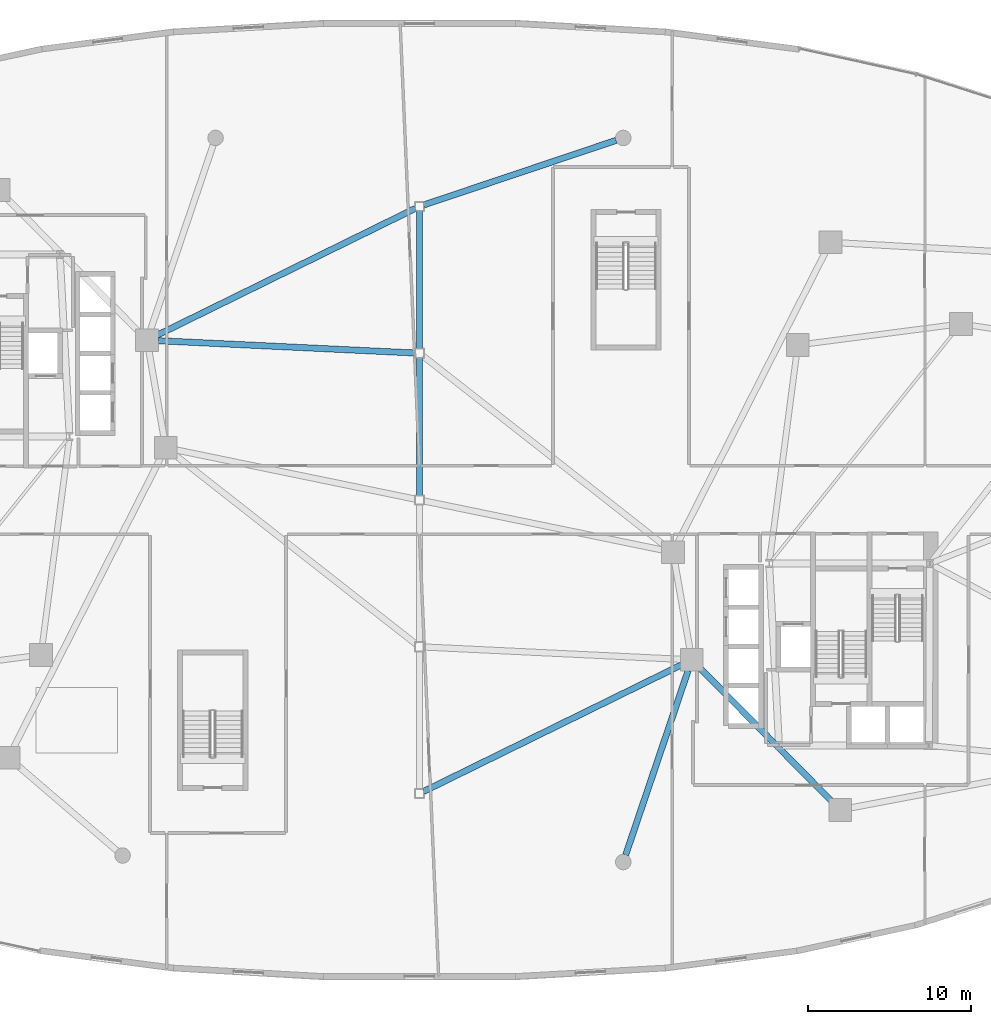
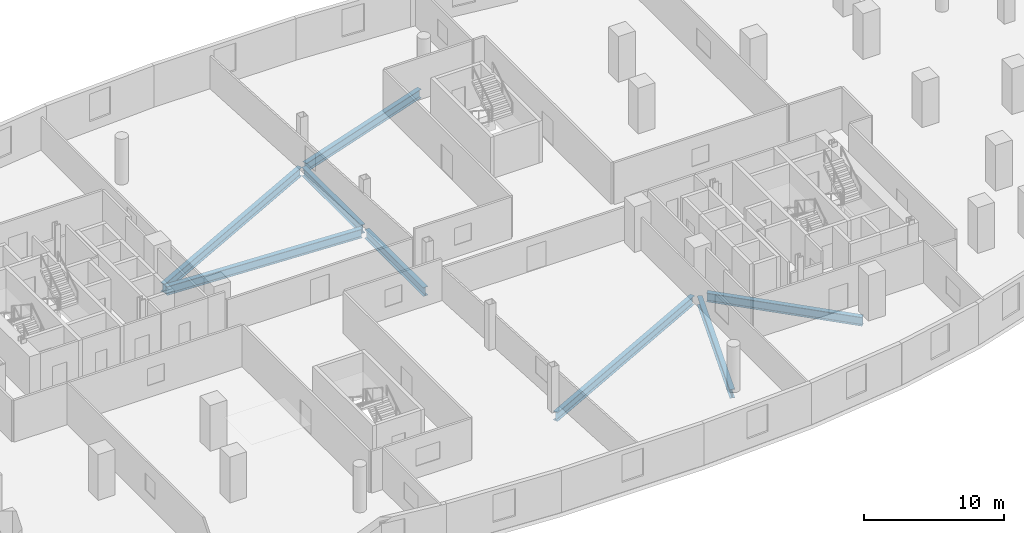
# One storey, part 6 of 19: 8 beams.
"""IFC4 building model written with IfcOpenShell, lengths in metres."""

import ifcopenshell
import ifcopenshell.guid

model = None  # the IFC model being written
_history = None  # IfcOwnerHistory: only IFC2X3 demands one
_inside = {}  # id of a spatial element -> (the spatial element, [elements in it])
_under = {}  # id of a project, library or spatial element -> (it, [spatial elements below it])
_declared = {}  # id of a project -> (the project, [libraries it declares])
_typed = {}  # id of a type object -> (the type object, [elements of that type])
_made_of = {}  # id of a material, layer set ... -> (it, [elements and type objects made of it])


def new_model(schema):
    """Start an empty IFC model of exactly this schema.

    Asked for "IFC4X3", IfcOpenShell would pick the latest addendum, in which some entities
    have other attributes; the version numbers below select the first issue.
    IFC2X3 requires an IfcOwnerHistory on every rooted entity: one is made here for all.
    """
    global model, _history
    if schema == "IFC4X3":
        model = ifcopenshell.file(schema_version=(4, 3, 0, 0))
    else:
        model = ifcopenshell.file(schema=schema)
    _inside.clear()
    _under.clear()
    _declared.clear()
    _typed.clear()
    _made_of.clear()
    _history = None
    if model.schema == "IFC2X3":
        org = make("IfcOrganization", Name="unknown")
        user = make(
            "IfcPersonAndOrganization",
            ThePerson=make("IfcPerson", FamilyName="unknown"),
            TheOrganization=org,
        )
        app = make(
            "IfcApplication",
            ApplicationDeveloper=org,
            Version="unknown",
            ApplicationFullName="unknown",
            ApplicationIdentifier="unknown",
        )
        _history = make(
            "IfcOwnerHistory",
            OwningUser=user,
            OwningApplication=app,
            ChangeAction="ADDED",
            CreationDate=0,
        )
    return model


def make(cls, **values):
    """One entity of the class cls with the attributes given. An attribute that is None is left unset."""
    return model.create_entity(
        cls, **{name: value for name, value in values.items() if value is not None}
    )


def rooted(cls, **values):
    """An entity with a GlobalId (a new one), such as an element, a storey or a relation."""
    return make(cls, GlobalId=ifcopenshell.guid.new(), OwnerHistory=_history, **values)


def si_unit(unit_type, name, prefix=None):
    """IfcSIUnit, for example si_unit("LENGTHUNIT", "METRE", prefix="MILLI")."""
    return make("IfcSIUnit", UnitType=unit_type, Prefix=prefix, Name=name)


def assignment(units):
    """IfcUnitAssignment: the units of a project."""
    return None if units is None else make("IfcUnitAssignment", Units=units)


def point(xyz):
    """IfcCartesianPoint."""
    return None if xyz is None else make("IfcCartesianPoint", Coordinates=xyz)


def direction(xyz):
    """IfcDirection."""
    return None if xyz is None else make("IfcDirection", DirectionRatios=xyz)


def frame(location, z_axis=None, x_axis=None):
    """IfcAxis2Placement3D, a coordinate frame: its origin and axes. An axis left out is left unset."""
    return make(
        "IfcAxis2Placement3D",
        Location=point(location),
        Axis=direction(z_axis),
        RefDirection=direction(x_axis),
    )


def frame_2d(location, x_axis=None):
    """IfcAxis2Placement2D, a coordinate frame in the plane: its origin and x axis."""
    return make(
        "IfcAxis2Placement2D", Location=point(location), RefDirection=direction(x_axis)
    )


def origin():
    """The frame at (0, 0, 0) with its axes left unset."""
    return frame((0.0, 0.0, 0.0))


def origin_2d():
    """The frame at (0, 0) in the plane with its x axis left unset."""
    return frame_2d((0.0, 0.0))


def place(relative_to, where):
    """IfcLocalPlacement: puts the frame where relative to a parent placement (None: the world)."""
    return make(
        "IfcLocalPlacement", PlacementRelTo=relative_to, RelativePlacement=where
    )


def context(
    kind, dimensions, precision=None, world=None, true_north=None, identifier=None
):
    """IfcGeometricRepresentationContext, for example the 3D "Model" context."""
    return make(
        "IfcGeometricRepresentationContext",
        ContextIdentifier=identifier,
        ContextType=kind,
        CoordinateSpaceDimension=dimensions,
        Precision=precision,
        WorldCoordinateSystem=world,
        TrueNorth=true_north,
    )


def subcontext(parent, identifier, kind, view, scale=None):
    """IfcGeometricRepresentationSubContext, for example "Body" below "Model"."""
    return make(
        "IfcGeometricRepresentationSubContext",
        ContextIdentifier=identifier,
        ContextType=kind,
        ParentContext=parent,
        TargetScale=scale,
        TargetView=view,
    )


def project(units=None, contexts=None):
    """IfcProject with its units and contexts."""
    return rooted(
        "IfcProject",
        Name="project",
        RepresentationContexts=contexts,
        UnitsInContext=assignment(units),
    )


def spatial(cls, under=None, at=None, **own):
    """A site, building, storey or space (cls), placed at a placement, below another one or the project."""
    s = rooted(cls, ObjectPlacement=at, **own)
    if under is not None:
        _under.setdefault(under.id(), (under, []))[1].append(s)
    return s


def profile(cls, at=None, kind="AREA", **sizes):
    """A parametric profile (cls). Its sizes go by their IFC names, for example OverallWidth=200.0."""
    return make(cls, ProfileType=kind, Position=at, **sizes)


def i_section(**sizes):
    """IfcIShapeProfileDef."""
    return profile("IfcIShapeProfileDef", **sizes)


def extrude(swept, where, along, depth):
    """IfcExtrudedAreaSolid: the profile swept, set in the frame where, extruded along a direction by depth."""
    return make(
        "IfcExtrudedAreaSolid",
        SweptArea=swept,
        Position=where,
        ExtrudedDirection=direction(along),
        Depth=depth,
    )


def shape(context_of_items, identifier, shape_type, items):
    """IfcShapeRepresentation: the items that make up one representation, for example the "Body"."""
    return make(
        "IfcShapeRepresentation",
        ContextOfItems=context_of_items,
        RepresentationIdentifier=identifier,
        RepresentationType=shape_type,
        Items=items,
    )


def material(Name=None, Category=None):
    """IfcMaterial."""
    return make("IfcMaterial", Name=Name, Category=Category)


def material_profile(
    of_material, cross_section, Name=None, Category=None, Priority=None
):
    """IfcMaterialProfile: a cross section and its material."""
    return make(
        "IfcMaterialProfile",
        Name=Name,
        Material=of_material,
        Profile=cross_section,
        Priority=Priority,
        Category=Category,
    )


def profile_set(profiles, Name=None, composite=None):
    """IfcMaterialProfileSet."""
    return make(
        "IfcMaterialProfileSet",
        Name=Name,
        MaterialProfiles=profiles,
        CompositeProfile=composite,
    )


def made_of(thing, what):
    """Note that an element or type object is made of a material, layer set ...; save() writes the relation."""
    if what is not None:
        _made_of.setdefault(what.id(), (what, []))[1].append(thing)
    return thing


def type_object(cls, material=None, **own):
    """A type object (cls), such as IfcWallType, which elements share."""
    return made_of(rooted(cls, **own), material)


def element(
    cls,
    number,
    at=None,
    inside=None,
    cuts=None,
    type_object=None,
    material=None,
    context=None,
    identifier="Body",
    shape_type=None,
    held_by="IfcProductDefinitionShape",
    body=None,
    shapes=None,
    **own,
):
    """One element of the class cls, such as IfcWall. Its Tag is "e" and its number.

    at: its placement. inside: the storey or other place that contains it. cuts: it is an
    opening in that element (IfcRelVoidsElement). A single representation is given by context,
    identifier, shape_type and body (its items); several are given by shapes. held_by: the class
    of the entity that holds the representations. save() writes the other relations.
    """
    e = rooted(cls, Tag="e%d" % number, ObjectPlacement=at, **own)
    if body is not None:
        shapes = [shape(context, identifier, shape_type, body)]
    if shapes is not None:
        e.Representation = make(held_by, Representations=shapes)
    if inside is not None:
        _inside.setdefault(inside.id(), (inside, []))[1].append(e)
    if cuts is not None:
        rooted(
            "IfcRelVoidsElement", RelatingBuildingElement=cuts, RelatedOpeningElement=e
        )
    if type_object is not None:
        _typed.setdefault(type_object.id(), (type_object, []))[1].append(e)
    return made_of(e, material)


def aggregate(whole, parts):
    """IfcRelAggregates: a whole, such as a stair, and the parts it consists of."""
    return rooted("IfcRelAggregates", RelatingObject=whole, RelatedObjects=parts)


def save(model, path):
    """Write the relations noted so far, then the file.

    IfcRelAggregates (storeys below a building ...), IfcRelContainedInSpatialStructure (elements
    in a storey), IfcRelDefinesByType, IfcRelAssociatesMaterial and IfcRelDeclares: one each for
    every whole, place, type object, material and project.
    """
    for whole, parts in _under.values():
        aggregate(whole, parts)
    for where, things in _inside.values():
        rooted(
            "IfcRelContainedInSpatialStructure",
            RelatedElements=things,
            RelatingStructure=where,
        )
    for kind, things in _typed.values():
        rooted("IfcRelDefinesByType", RelatedObjects=things, RelatingType=kind)
    for what, things in _made_of.values():
        rooted("IfcRelAssociatesMaterial", RelatedObjects=things, RelatingMaterial=what)
    for by, libraries in _declared.values():
        rooted("IfcRelDeclares", RelatingContext=by, RelatedDefinitions=libraries)
    model.write(path)


model = new_model("IFC4")

# Units and contexts
model_context = context("Model", 3, precision=1e-05, world=origin(), true_north=direction((0.0, 1.0)))
body_context = subcontext(model_context, "Body", "Model", "MODEL_VIEW")
ifc_project = project(units=[si_unit("LENGTHUNIT", "METRE"), si_unit("AREAUNIT", "SQUARE_METRE"), si_unit("VOLUMEUNIT", "CUBIC_METRE"), si_unit("PLANEANGLEUNIT", "RADIAN"), si_unit("MASSUNIT", "GRAM", prefix="KILO"), si_unit("THERMODYNAMICTEMPERATUREUNIT", "KELVIN"), si_unit("POWERUNIT", "WATT")], contexts=[model_context])

# Site, building, storey
site_placement = place(None, origin())
site = spatial("IfcSite", under=ifc_project, at=site_placement, CompositionType="ELEMENT")
building_placement = place(site_placement, origin())
building = spatial("IfcBuilding", under=site, at=building_placement, Name="Cundina Bronze Exchange", CompositionType="ELEMENT")
storey_placement = place(building_placement, frame((0.0, 0.0, 16.0)))
storey = spatial("IfcBuildingStorey", under=building, at=storey_placement, Name="L03", CompositionType="ELEMENT", Elevation=16.0)

# Beams
ifc_material = material(Name="Steel ASTM A992 Grade 50", Category="steel")
ifc_material_profile = material_profile(ifc_material, i_section(OverallWidth=0.381103515625, OverallDepth=0.77294921875, WebThickness=0.0166015625, FlangeThickness=0.027099609375, FilletRadius=0.01904296875, at=origin_2d()), Name="W30X173", Category="steel")
ifc_profile_set = profile_set([ifc_material_profile], Name="Steel ASTM A992 Grade 50")
beam_type = type_object("IfcBeamType", Name="BM-RING-W30", PredefinedType="USERDEFINED", material=ifc_profile_set)
for number, where, z_axis, x_axis, name in (
    (1, (0.0, 0.2880859375, -0.736572265625), (0.0, 1.0, 0.0), (-1.0, 0.0, 0.0), "L03 Concourse Spine Longitudinal Girder 03"),
    (2, (0.0, 9.2880859375, -0.736572265625), (0.0, 1.0, 0.0), (-1.0, 0.0, 0.0), "L03 Concourse Spine Longitudinal Girder 04"),
):
    element("IfcBeam", number, at=place(storey_placement, frame(where, z_axis=z_axis, x_axis=x_axis)), inside=storey, type_object=beam_type, Name=name, ObjectType="GIRDER", PredefinedType="USERDEFINED", context=body_context, shape_type="SweptSolid", body=[
        extrude(i_section(OverallWidth=0.381103515625, OverallDepth=0.77294921875, WebThickness=0.0166015625, FlangeThickness=0.027099609375, FilletRadius=0.01904296875, at=origin_2d()), origin(), (0.0, 0.0, 1.0), 8.423828125),
    ])
beam_1_placement = place(storey_placement, frame((12.06103515625, 22.052490234375, -0.736572265625), z_axis=(-0.947924745571, -0.318494390428, 0.0), x_axis=(0.318494390428, -0.947924745571, 0.0)))
element("IfcBeam", 3, at=beam_1_placement, inside=storey, type_object=beam_type, Name="L03 Podium Colonnade Tie Beam 04", ObjectType="GIRDER", PredefinedType="USERDEFINED", context=body_context, shape_type="SweptSolid", body=[
    extrude(i_section(OverallWidth=0.381103515625, OverallDepth=0.77294921875, WebThickness=0.0166015625, FlangeThickness=0.027099609375, FilletRadius=0.01904296875, at=origin_2d()), origin(), (0.0, 0.0, 1.0), 12.435791015625),
])
beam_2_placement = place(storey_placement, frame((12.6484375, -21.761474609375, -0.736572265625), z_axis=(0.320812062771, 0.947142872211, 0.0), x_axis=(-0.947142872211, 0.320812062771, 0.0)))
element("IfcBeam", 4, at=beam_2_placement, inside=storey, type_object=beam_type, Name="L03 Podium Colonnade Tie Beam 05", ObjectType="GIRDER", PredefinedType="USERDEFINED", context=body_context, shape_type="SweptSolid", body=[
    extrude(i_section(OverallWidth=0.381103515625, OverallDepth=0.77294921875, WebThickness=0.0166015625, FlangeThickness=0.027099609375, FilletRadius=0.01904296875, at=origin_2d()), origin(), (0.0, 0.0, 1.0), 11.94091796875),
])
beam_3_placement = place(storey_placement, frame((0.258544921875, -17.873046875, -0.736572265625), z_axis=(0.897630752677, 0.44074826358, 0.0), x_axis=(-0.44074826358, 0.897630752677, 0.0)))
element("IfcBeam", 5, at=beam_3_placement, inside=storey, type_object=beam_type, Name="L03 Concourse East Span Girder 01", ObjectType="GIRDER", PredefinedType="USERDEFINED", context=body_context, shape_type="SweptSolid", body=[
    extrude(i_section(OverallWidth=0.381103515625, OverallDepth=0.77294921875, WebThickness=0.0166015625, FlangeThickness=0.027099609375, FilletRadius=0.01904296875, at=origin_2d()), origin(), (0.0, 0.0, 1.0), 17.628662109375),
])
beam_4_placement = place(storey_placement, frame((-16.0126953125, 9.76708984375, -0.736572265625), z_axis=(0.998854942473, -0.047841445389, 0.0), x_axis=(0.047841445389, 0.998854942473, 0.0)))
element("IfcBeam", 6, at=beam_4_placement, inside=storey, type_object=beam_type, Name="L03 Concourse West Span Girder 04", ObjectType="GIRDER", PredefinedType="USERDEFINED", context=body_context, shape_type="SweptSolid", body=[
    extrude(i_section(OverallWidth=0.381103515625, OverallDepth=0.77294921875, WebThickness=0.0166015625, FlangeThickness=0.027099609375, FilletRadius=0.01904296875, at=origin_2d()), origin(), (0.0, 0.0, 1.0), 15.7431640625),
])
beam_5_placement = place(storey_placement, frame((-16.08251953125, 10.103271484375, -0.736572265625), z_axis=(0.897630752677, 0.44074826358, 0.0), x_axis=(-0.44074826358, 0.897630752677, 0.0)))
element("IfcBeam", 7, at=beam_5_placement, inside=storey, type_object=beam_type, Name="L03 Concourse West Span Girder 05", ObjectType="GIRDER", PredefinedType="USERDEFINED", context=body_context, shape_type="SweptSolid", body=[
    extrude(i_section(OverallWidth=0.381103515625, OverallDepth=0.77294921875, WebThickness=0.0166015625, FlangeThickness=0.027099609375, FilletRadius=0.01904296875, at=origin_2d()), origin(), (0.0, 0.0, 1.0), 17.628662109375),
])
beam_6_placement = place(storey_placement, frame((17.183837890625, -10.2890625, -0.736572265625), z_axis=(0.703222219128, -0.710970119291, 0.0), x_axis=(0.710970119291, 0.703222219128, 0.0)))
element("IfcBeam", 8, at=beam_6_placement, inside=storey, type_object=beam_type, Name="L03 E Podium Ring Girder 02", ObjectType="GIRDER", PredefinedType="USERDEFINED", context=body_context, shape_type="SweptSolid", body=[
    extrude(i_section(OverallWidth=0.381103515625, OverallDepth=0.77294921875, WebThickness=0.0166015625, FlangeThickness=0.027099609375, FilletRadius=0.01904296875, at=origin_2d()), origin(), (0.0, 0.0, 1.0), 11.564453125),
])

save(model, "model.ifc")
